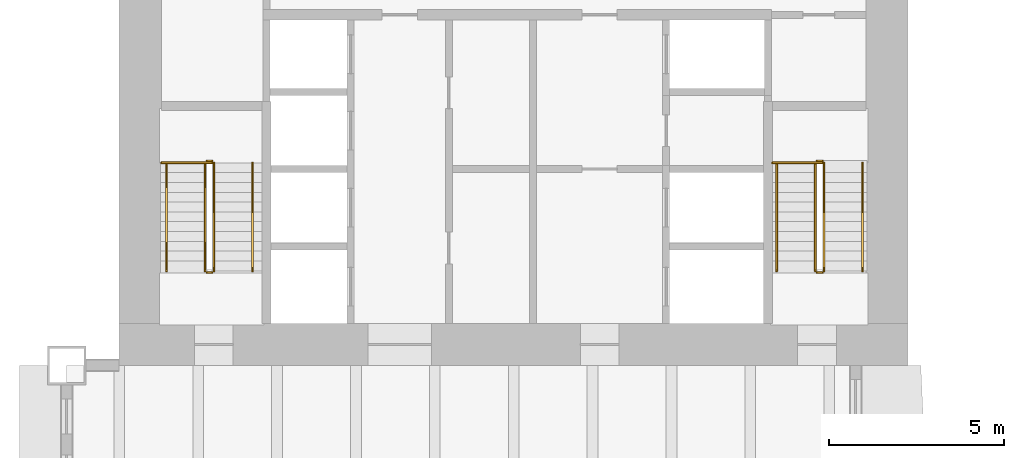
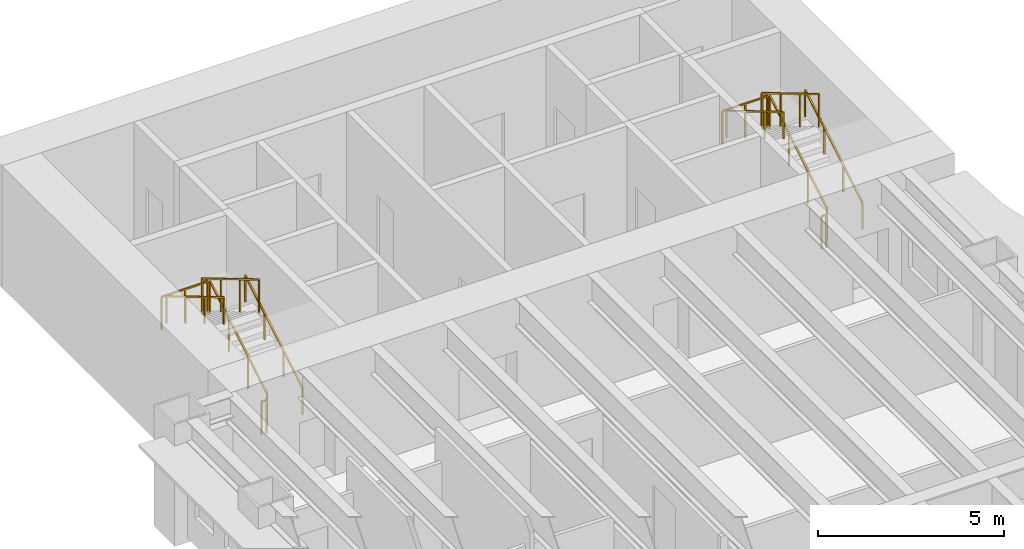
# One storey, part 15 of 15: 14 railings.
"""IFC4 building model written with IfcOpenShell, lengths in metres."""

from ifc_helpers import new_model, si_unit, direction, frame, origin, origin_2d, place, context, subcontext, project, spatial, rectangle, extrude, material, type_object, element, save


model = new_model("IFC4")

# Units and contexts
model_context = context("Model", 3, precision=1e-05, world=origin(), true_north=direction((0.0, 1.0)))
body_context = subcontext(model_context, "Body", "Model", "MODEL_VIEW")
ifc_project = project(units=[si_unit("LENGTHUNIT", "METRE"), si_unit("AREAUNIT", "SQUARE_METRE"), si_unit("VOLUMEUNIT", "CUBIC_METRE"), si_unit("PLANEANGLEUNIT", "RADIAN"), si_unit("MASSUNIT", "GRAM", prefix="KILO")], contexts=[model_context])

# Site, building, storey
site_placement = place(None, origin())
site = spatial("IfcSite", under=ifc_project, at=site_placement, CompositionType="ELEMENT")
building_placement = place(site_placement, origin())
building = spatial("IfcBuilding", under=site, at=building_placement, Name="Sennacour Bend Tower", CompositionType="ELEMENT")
storey_placement = place(building_placement, frame((0.0, 0.0, 41.0)))
storey = spatial("IfcBuildingStorey", under=building, at=storey_placement, Name="L08", CompositionType="ELEMENT", Elevation=41.0)

# Railings
ifc_material = material(Name="Stainless steel", Category="steel")
railing_type_1 = type_object("IfcRailingType", Name="RL-GUARD-1100", PredefinedType="GUARDRAIL", material=ifc_material)
railing_1_placement = place(storey_placement, frame((2.699951171875, 38.699951171875, 0.166748046875)))
element("IfcRailing", 1, at=railing_1_placement, inside=storey, type_object=railing_type_1, Name="L08 SB1 stair guard 1", PredefinedType="GUARDRAIL", context=body_context, shape_type="SweptSolid", body=[
    extrude(rectangle(XDim=0.048095703125, YDim=0.048095703125, at=origin_2d()), frame((0.0, 0.0, 1.076171875), z_axis=(0.0, 0.859308565015, 0.511457515432), x_axis=(-1.0, 0.0, 0.0)), (0.0, 0.0, 1.0), 3.58447265625),
    extrude(rectangle(XDim=0.0419921875, YDim=0.0419921875, at=origin_2d()), origin(), (0.0, 0.0, 1.0), 1.052001953125),
    extrude(rectangle(XDim=0.0419921875, YDim=0.0419921875, at=origin_2d()), frame((0.0, 1.026611328125, 0.611083984375)), (0.0, 0.0, 1.0), 1.052001953125),
    extrude(rectangle(XDim=0.0419921875, YDim=0.0419921875, at=origin_2d()), frame((0.0, 2.053466796875, 1.22216796875)), (0.0, 0.0, 1.0), 1.052001953125),
    extrude(rectangle(XDim=0.0419921875, YDim=0.0419921875, at=origin_2d()), frame((0.0, 3.080078125, 1.833251953125)), (0.0, 0.0, 1.0), 1.052001953125),
])
railing_2_placement = place(storey_placement, frame((2.64990234375, 41.830078125, 2.0)))
element("IfcRailing", 2, at=railing_2_placement, inside=storey, type_object=railing_type_1, Name="L08 SB1 stair guard 2", PredefinedType="GUARDRAIL", context=body_context, shape_type="SweptSolid", body=[
    extrude(rectangle(XDim=0.048095703125, YDim=0.048095703125, at=origin_2d()), frame((0.0, 0.0, 1.076171875), z_axis=(-1.0, 0.0, 0.0), x_axis=(0.0, -1.0, 0.0)), (0.0, 0.0, 1.0), 0.14990234375),
    extrude(rectangle(XDim=0.0419921875, YDim=0.0419921875, at=origin_2d()), origin(), (0.0, 0.0, 1.0), 1.052001953125),
    extrude(rectangle(XDim=0.0419921875, YDim=0.0419921875, at=origin_2d()), frame((-0.14990234375, 0.0, 0.0)), (0.0, 0.0, 1.0), 1.052001953125),
])
railing_3_placement = place(storey_placement, frame((2.449951171875, 41.780029296875, 2.166748046875)))
element("IfcRailing", 3, at=railing_3_placement, inside=storey, type_object=railing_type_1, Name="L08 SB1 stair guard 4", PredefinedType="GUARDRAIL", context=body_context, shape_type="SweptSolid", body=[
    extrude(rectangle(XDim=0.048095703125, YDim=0.048095703125, at=origin_2d()), frame((0.0, 0.0, 1.076171875), z_axis=(0.0, -0.859308565015, 0.511457515432), x_axis=(1.0, 0.0, 0.0)), (0.0, 0.0, 1.0), 3.58447265625),
    extrude(rectangle(XDim=0.0419921875, YDim=0.0419921875, at=origin_2d()), origin(), (0.0, 0.0, 1.0), 1.052001953125),
    extrude(rectangle(XDim=0.0419921875, YDim=0.0419921875, at=origin_2d()), frame((0.0, -1.026611328125, 0.611083984375)), (0.0, 0.0, 1.0), 1.052001953125),
    extrude(rectangle(XDim=0.0419921875, YDim=0.0419921875, at=origin_2d()), frame((0.0, -2.053466796875, 1.22216796875)), (0.0, 0.0, 1.0), 1.052001953125),
    extrude(rectangle(XDim=0.0419921875, YDim=0.0419921875, at=origin_2d()), frame((0.0, -3.080078125, 1.833251953125)), (0.0, 0.0, 1.0), 1.052001953125),
])
railing_4_placement = place(storey_placement, frame((2.64990234375, 38.64990234375, 0.0)))
element("IfcRailing", 4, at=railing_4_placement, inside=storey, type_object=railing_type_1, Name="L08 SB1 stair guard 5", PredefinedType="GUARDRAIL", context=body_context, shape_type="SweptSolid", body=[
    extrude(rectangle(XDim=0.048095703125, YDim=0.048095703125, at=origin_2d()), frame((0.0, 0.0, 1.076171875), z_axis=(-1.0, 0.0, 0.0), x_axis=(0.0, -1.0, 0.0)), (0.0, 0.0, 1.0), 0.14990234375),
    extrude(rectangle(XDim=0.0419921875, YDim=0.0419921875, at=origin_2d()), origin(), (0.0, 0.0, 1.0), 1.052001953125),
    extrude(rectangle(XDim=0.0419921875, YDim=0.0419921875, at=origin_2d()), frame((-0.14990234375, 0.0, 0.0)), (0.0, 0.0, 1.0), 1.052001953125),
])
railing_5_placement = place(storey_placement, frame((2.64990234375, 41.780029296875, 2.0)))
element("IfcRailing", 5, at=railing_5_placement, inside=storey, type_object=railing_type_1, Name="L08 SB1 landing edge guard 27", PredefinedType="GUARDRAIL", context=body_context, shape_type="SweptSolid", body=[
    extrude(rectangle(XDim=0.048095703125, YDim=0.048095703125, at=origin_2d()), frame((0.0, 0.0, 1.076171875), z_axis=(-1.0, 0.0, 0.0), x_axis=(0.0, -1.0, 0.0)), (0.0, 0.0, 1.0), 1.449951171875),
    extrude(rectangle(XDim=0.0419921875, YDim=0.0419921875, at=origin_2d()), origin(), (0.0, 0.0, 1.0), 1.052001953125),
    extrude(rectangle(XDim=0.0419921875, YDim=0.0419921875, at=origin_2d()), frame((-0.72509765625, 0.0, 0.0)), (0.0, 0.0, 1.0), 1.052001953125),
    extrude(rectangle(XDim=0.0419921875, YDim=0.0419921875, at=origin_2d()), frame((-1.449951171875, 0.0, 0.0)), (0.0, 0.0, 1.0), 1.052001953125),
])
railing_6_placement = place(storey_placement, frame((20.10009765625, 38.699951171875, 0.166748046875)))
element("IfcRailing", 6, at=railing_6_placement, inside=storey, type_object=railing_type_1, Name="L08 SB2 stair guard 1", PredefinedType="GUARDRAIL", context=body_context, shape_type="SweptSolid", body=[
    extrude(rectangle(XDim=0.048095703125, YDim=0.048095703125, at=origin_2d()), frame((0.0, 0.0, 1.076171875), z_axis=(0.0, 0.859308565015, 0.511457515432), x_axis=(-1.0, 0.0, 0.0)), (0.0, 0.0, 1.0), 3.58447265625),
    extrude(rectangle(XDim=0.0419921875, YDim=0.0419921875, at=origin_2d()), origin(), (0.0, 0.0, 1.0), 1.052001953125),
    extrude(rectangle(XDim=0.0419921875, YDim=0.0419921875, at=origin_2d()), frame((0.0, 1.026611328125, 0.611083984375)), (0.0, 0.0, 1.0), 1.052001953125),
    extrude(rectangle(XDim=0.0419921875, YDim=0.0419921875, at=origin_2d()), frame((0.0, 2.053466796875, 1.22216796875)), (0.0, 0.0, 1.0), 1.052001953125),
    extrude(rectangle(XDim=0.0419921875, YDim=0.0419921875, at=origin_2d()), frame((0.0, 3.080078125, 1.833251953125)), (0.0, 0.0, 1.0), 1.052001953125),
])
railing_7_placement = place(storey_placement, frame((20.050048828125, 41.830078125, 2.0)))
element("IfcRailing", 7, at=railing_7_placement, inside=storey, type_object=railing_type_1, Name="L08 SB2 stair guard 2", PredefinedType="GUARDRAIL", context=body_context, shape_type="SweptSolid", body=[
    extrude(rectangle(XDim=0.048095703125, YDim=0.048095703125, at=origin_2d()), frame((0.0, 0.0, 1.076171875), z_axis=(-1.0, 0.0, 0.0), x_axis=(0.0, -1.0, 0.0)), (0.0, 0.0, 1.0), 0.150146484375),
    extrude(rectangle(XDim=0.0419921875, YDim=0.0419921875, at=origin_2d()), origin(), (0.0, 0.0, 1.0), 1.052001953125),
    extrude(rectangle(XDim=0.0419921875, YDim=0.0419921875, at=origin_2d()), frame((-0.150146484375, 0.0, 0.0)), (0.0, 0.0, 1.0), 1.052001953125),
])
railing_8_placement = place(storey_placement, frame((19.85009765625, 41.780029296875, 2.166748046875)))
element("IfcRailing", 8, at=railing_8_placement, inside=storey, type_object=railing_type_1, Name="L08 SB2 stair guard 4", PredefinedType="GUARDRAIL", context=body_context, shape_type="SweptSolid", body=[
    extrude(rectangle(XDim=0.048095703125, YDim=0.048095703125, at=origin_2d()), frame((0.0, 0.0, 1.076171875), z_axis=(0.0, -0.859308565015, 0.511457515432), x_axis=(1.0, 0.0, 0.0)), (0.0, 0.0, 1.0), 3.58447265625),
    extrude(rectangle(XDim=0.0419921875, YDim=0.0419921875, at=origin_2d()), origin(), (0.0, 0.0, 1.0), 1.052001953125),
    extrude(rectangle(XDim=0.0419921875, YDim=0.0419921875, at=origin_2d()), frame((0.0, -1.026611328125, 0.611083984375)), (0.0, 0.0, 1.0), 1.052001953125),
    extrude(rectangle(XDim=0.0419921875, YDim=0.0419921875, at=origin_2d()), frame((0.0, -2.053466796875, 1.22216796875)), (0.0, 0.0, 1.0), 1.052001953125),
    extrude(rectangle(XDim=0.0419921875, YDim=0.0419921875, at=origin_2d()), frame((0.0, -3.080078125, 1.833251953125)), (0.0, 0.0, 1.0), 1.052001953125),
])
railing_9_placement = place(storey_placement, frame((20.050048828125, 38.64990234375, 0.0)))
element("IfcRailing", 9, at=railing_9_placement, inside=storey, type_object=railing_type_1, Name="L08 SB2 stair guard 5", PredefinedType="GUARDRAIL", context=body_context, shape_type="SweptSolid", body=[
    extrude(rectangle(XDim=0.048095703125, YDim=0.048095703125, at=origin_2d()), frame((0.0, 0.0, 1.076171875), z_axis=(-1.0, 0.0, 0.0), x_axis=(0.0, -1.0, 0.0)), (0.0, 0.0, 1.0), 0.150146484375),
    extrude(rectangle(XDim=0.0419921875, YDim=0.0419921875, at=origin_2d()), origin(), (0.0, 0.0, 1.0), 1.052001953125),
    extrude(rectangle(XDim=0.0419921875, YDim=0.0419921875, at=origin_2d()), frame((-0.150146484375, 0.0, 0.0)), (0.0, 0.0, 1.0), 1.052001953125),
])
railing_10_placement = place(storey_placement, frame((20.050048828125, 41.780029296875, 2.0)))
element("IfcRailing", 10, at=railing_10_placement, inside=storey, type_object=railing_type_1, Name="L08 SB2 landing edge guard 19", PredefinedType="GUARDRAIL", context=body_context, shape_type="SweptSolid", body=[
    extrude(rectangle(XDim=0.048095703125, YDim=0.048095703125, at=origin_2d()), frame((0.0, 0.0, 1.076171875), z_axis=(-1.0, 0.0, 0.0), x_axis=(0.0, -1.0, 0.0)), (0.0, 0.0, 1.0), 1.425048828125),
    extrude(rectangle(XDim=0.0419921875, YDim=0.0419921875, at=origin_2d()), origin(), (0.0, 0.0, 1.0), 1.052001953125),
    extrude(rectangle(XDim=0.0419921875, YDim=0.0419921875, at=origin_2d()), frame((-0.71240234375, 0.0, 0.0)), (0.0, 0.0, 1.0), 1.052001953125),
    extrude(rectangle(XDim=0.0419921875, YDim=0.0419921875, at=origin_2d()), frame((-1.425048828125, 0.0, 0.0)), (0.0, 0.0, 1.0), 1.052001953125),
])
railing_type_2 = type_object("IfcRailingType", Name="RL-HANDRAIL-900", PredefinedType="HANDRAIL", material=ifc_material)
railing_11_placement = place(storey_placement, frame((3.800048828125, 38.699951171875, 0.166748046875)))
element("IfcRailing", 11, at=railing_11_placement, inside=storey, type_object=railing_type_2, Name="L08 SB1 stair handrail 1", PredefinedType="HANDRAIL", context=body_context, shape_type="SweptSolid", body=[
    extrude(rectangle(XDim=0.048095703125, YDim=0.048095703125, at=origin_2d()), frame((0.0, 0.0, 0.8759765625), z_axis=(0.0, 0.859308565015, 0.511457515432), x_axis=(-1.0, 0.0, 0.0)), (0.0, 0.0, 1.0), 3.58447265625),
    extrude(rectangle(XDim=0.0419921875, YDim=0.0419921875, at=origin_2d()), origin(), (0.0, 0.0, 1.0), 0.851806640625),
    extrude(rectangle(XDim=0.0419921875, YDim=0.0419921875, at=origin_2d()), frame((0.0, 1.026611328125, 0.611083984375)), (0.0, 0.0, 1.0), 0.851806640625),
    extrude(rectangle(XDim=0.0419921875, YDim=0.0419921875, at=origin_2d()), frame((0.0, 2.053466796875, 1.22216796875)), (0.0, 0.0, 1.0), 0.851806640625),
    extrude(rectangle(XDim=0.0419921875, YDim=0.0419921875, at=origin_2d()), frame((0.0, 3.080078125, 1.833251953125)), (0.0, 0.0, 1.0), 0.851806640625),
])
railing_12_placement = place(storey_placement, frame((1.35009765625, 41.780029296875, 2.166748046875)))
element("IfcRailing", 12, at=railing_12_placement, inside=storey, type_object=railing_type_2, Name="L08 SB1 stair handrail 2", PredefinedType="HANDRAIL", context=body_context, shape_type="SweptSolid", body=[
    extrude(rectangle(XDim=0.048095703125, YDim=0.048095703125, at=origin_2d()), frame((0.0, 0.0, 0.8759765625), z_axis=(0.0, -0.859308565015, 0.511457515432), x_axis=(1.0, 0.0, 0.0)), (0.0, 0.0, 1.0), 3.58447265625),
    extrude(rectangle(XDim=0.0419921875, YDim=0.0419921875, at=origin_2d()), origin(), (0.0, 0.0, 1.0), 0.851806640625),
    extrude(rectangle(XDim=0.0419921875, YDim=0.0419921875, at=origin_2d()), frame((0.0, -1.026611328125, 0.611083984375)), (0.0, 0.0, 1.0), 0.851806640625),
    extrude(rectangle(XDim=0.0419921875, YDim=0.0419921875, at=origin_2d()), frame((0.0, -2.053466796875, 1.22216796875)), (0.0, 0.0, 1.0), 0.851806640625),
    extrude(rectangle(XDim=0.0419921875, YDim=0.0419921875, at=origin_2d()), frame((0.0, -3.080078125, 1.833251953125)), (0.0, 0.0, 1.0), 0.851806640625),
])
railing_13_placement = place(storey_placement, frame((21.199951171875, 38.699951171875, 0.166748046875)))
element("IfcRailing", 13, at=railing_13_placement, inside=storey, type_object=railing_type_2, Name="L08 SB2 stair handrail 1", PredefinedType="HANDRAIL", context=body_context, shape_type="SweptSolid", body=[
    extrude(rectangle(XDim=0.048095703125, YDim=0.048095703125, at=origin_2d()), frame((0.0, 0.0, 0.8759765625), z_axis=(0.0, 0.859308565015, 0.511457515432), x_axis=(-1.0, 0.0, 0.0)), (0.0, 0.0, 1.0), 3.58447265625),
    extrude(rectangle(XDim=0.0419921875, YDim=0.0419921875, at=origin_2d()), origin(), (0.0, 0.0, 1.0), 0.851806640625),
    extrude(rectangle(XDim=0.0419921875, YDim=0.0419921875, at=origin_2d()), frame((0.0, 1.026611328125, 0.611083984375)), (0.0, 0.0, 1.0), 0.851806640625),
    extrude(rectangle(XDim=0.0419921875, YDim=0.0419921875, at=origin_2d()), frame((0.0, 2.053466796875, 1.22216796875)), (0.0, 0.0, 1.0), 0.851806640625),
    extrude(rectangle(XDim=0.0419921875, YDim=0.0419921875, at=origin_2d()), frame((0.0, 3.080078125, 1.833251953125)), (0.0, 0.0, 1.0), 0.851806640625),
])
railing_14_placement = place(storey_placement, frame((18.75, 41.780029296875, 2.166748046875)))
element("IfcRailing", 14, at=railing_14_placement, inside=storey, type_object=railing_type_2, Name="L08 SB2 stair handrail 2", PredefinedType="HANDRAIL", context=body_context, shape_type="SweptSolid", body=[
    extrude(rectangle(XDim=0.048095703125, YDim=0.048095703125, at=origin_2d()), frame((0.0, 0.0, 0.8759765625), z_axis=(0.0, -0.859308565015, 0.511457515432), x_axis=(1.0, 0.0, 0.0)), (0.0, 0.0, 1.0), 3.58447265625),
    extrude(rectangle(XDim=0.0419921875, YDim=0.0419921875, at=origin_2d()), origin(), (0.0, 0.0, 1.0), 0.851806640625),
    extrude(rectangle(XDim=0.0419921875, YDim=0.0419921875, at=origin_2d()), frame((0.0, -1.026611328125, 0.611083984375)), (0.0, 0.0, 1.0), 0.851806640625),
    extrude(rectangle(XDim=0.0419921875, YDim=0.0419921875, at=origin_2d()), frame((0.0, -2.053466796875, 1.22216796875)), (0.0, 0.0, 1.0), 0.851806640625),
    extrude(rectangle(XDim=0.0419921875, YDim=0.0419921875, at=origin_2d()), frame((0.0, -3.080078125, 1.833251953125)), (0.0, 0.0, 1.0), 0.851806640625),
])

save(model, "model.ifc")
